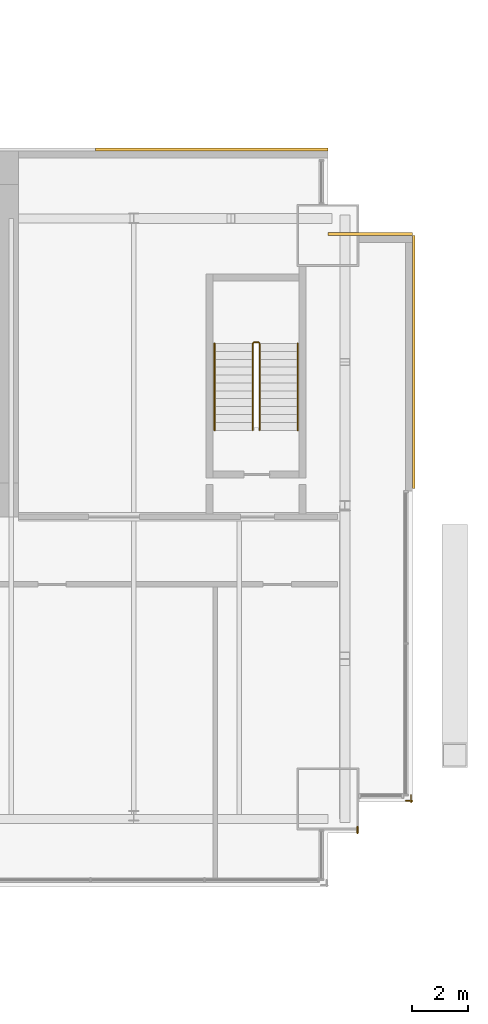
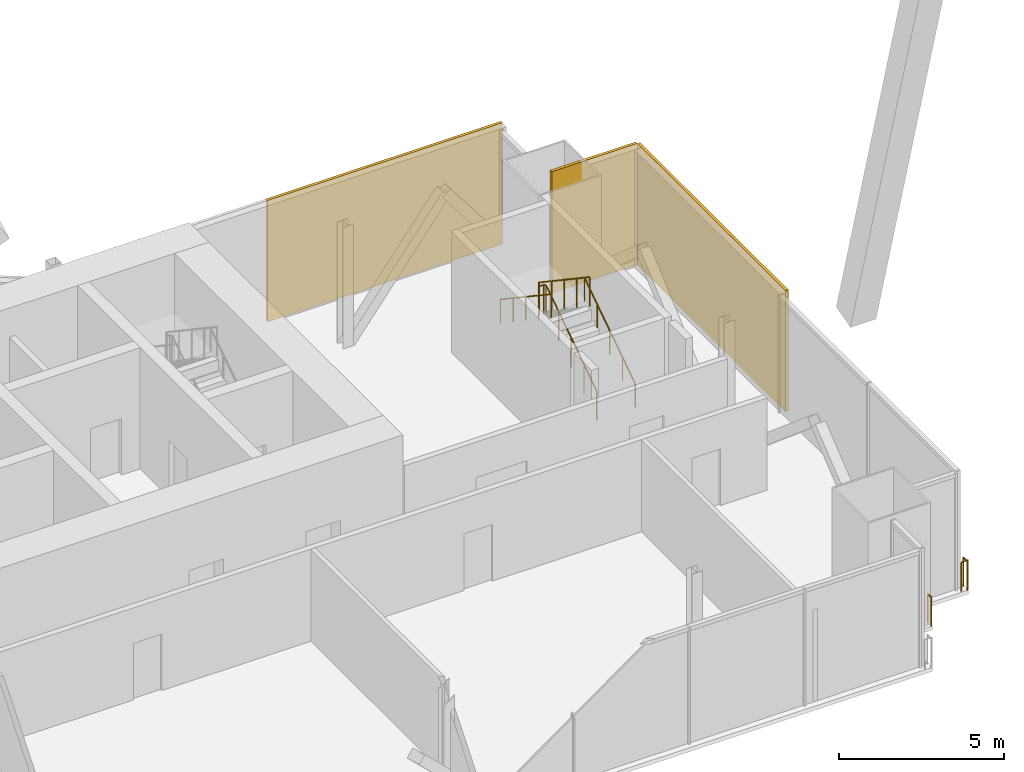
# One storey, part 22 of 22: 5 railings, 3 coverings.
"""IFC4 building model written with IfcOpenShell, lengths in metres."""

from ifc_helpers import new_model, si_unit, direction, frame, origin, origin_2d, place, context, subcontext, project, spatial, rectangle, circle, extrude, material, layer, layer_set, type_object, element, save


model = new_model("IFC4")

# Units and contexts
model_context = context("Model", 3, precision=1e-05, world=origin(), true_north=direction((0.0, 1.0)))
body_context = subcontext(model_context, "Body", "Model", "MODEL_VIEW")
ifc_project = project(units=[si_unit("LENGTHUNIT", "METRE"), si_unit("AREAUNIT", "SQUARE_METRE"), si_unit("VOLUMEUNIT", "CUBIC_METRE"), si_unit("PLANEANGLEUNIT", "RADIAN"), si_unit("MASSUNIT", "GRAM", prefix="KILO")], contexts=[model_context])

# Site, building, storey
site_placement = place(None, origin())
site = spatial("IfcSite", under=ifc_project, at=site_placement, CompositionType="ELEMENT")
building_placement = place(site_placement, origin())
building = spatial("IfcBuilding", under=site, at=building_placement, Name="Bicima Exchange Tower", CompositionType="ELEMENT")
storey_placement = place(building_placement, frame((0.0, 0.0, 315.5)))
storey = spatial("IfcBuildingStorey", under=building, at=storey_placement, Name="L71", CompositionType="ELEMENT", Elevation=315.5)

# Coverings
ifc_material_1 = material(Name="Bronze metal cladding")
ifc_layer_1 = layer(ifc_material_1, 0.004)
ifc_material_2 = material(Name="Ventilated cavity")
ifc_layer_2 = layer(ifc_material_2, 0.06)
ifc_material_3 = material(Name="Galvanised steel rail and mineral wool", Category="steel")
ifc_layer_3 = layer(ifc_material_3, 0.036)
ifc_layer_set = layer_set([ifc_layer_1, ifc_layer_2, ifc_layer_3], Name="Ventilated cavity")
covering_type = type_object("IfcCoveringType", Name="Bronze metal cladding panel 100", PredefinedType="CLADDING", material=ifc_layer_set)
covering_1_placement = place(storey_placement, frame((28.875, 0.050048828125, -0.14990234375), z_axis=(0.0, 0.0, 1.0), x_axis=(-1.0, 0.0, 0.0)))
element("IfcCovering", 1, at=covering_1_placement, inside=storey, type_object=covering_type, Name="Bronze cladding L71 1.1", PredefinedType="CLADDING", context=body_context, shape_type="SweptSolid", body=[
    extrude(rectangle(XDim=8.25, YDim=0.10009765625, at=origin_2d()), origin(), (0.0, 0.0, 1.0), 4.5),
])
covering_2_placement = place(storey_placement, frame((36.050048828125, -7.5, -0.14990234375), z_axis=(0.0, 0.0, 1.0), x_axis=(0.0, 1.0, 0.0)))
element("IfcCovering", 2, at=covering_2_placement, inside=storey, type_object=covering_type, Name="Bronze cladding L71 50.1", PredefinedType="CLADDING", context=body_context, shape_type="SweptSolid", body=[
    extrude(rectangle(XDim=9.0, YDim=0.10009765625, at=origin_2d()), origin(), (0.0, 0.0, 1.0), 4.5),
])
covering_3_placement = place(storey_placement, frame((34.5, -2.949951171875, -0.14990234375), z_axis=(0.0, 0.0, 1.0), x_axis=(-1.0, 0.0, 0.0)))
element("IfcCovering", 3, at=covering_3_placement, inside=storey, type_object=covering_type, Name="Bronze cladding L71 51.1", PredefinedType="CLADDING", context=body_context, shape_type="SweptSolid", body=[
    extrude(rectangle(XDim=3.0, YDim=0.10009765625, at=origin_2d()), origin(), (0.0, 0.0, 1.0), 4.5),
])

# Railings
ifc_material_4 = material(Name="Stainless steel and bonded safety glass", Category="steel")
railing_type_1 = type_object("IfcRailingType", Name="Edge guard 1100", PredefinedType="GUARDRAIL", material=ifc_material_4)
railing_1_placement = place(storey_placement, frame((35.949951171875, -22.89111328125, 0.0)))
element("IfcRailing", 4, at=railing_1_placement, inside=storey, type_object=railing_type_1, Name="Edge guard L71 368", PredefinedType="GUARDRAIL", context=body_context, shape_type="SweptSolid", body=[
    extrude(circle(Radius=0.02392578125, at=origin_2d()), frame((0.0, 0.0, 1.076171875), z_axis=(0.0, -1.0, 0.0), x_axis=(1.0, 0.0, 0.0)), (0.0, 0.0, 1.0), 0.248779296875),
    extrude(circle(Radius=0.02392578125, at=origin_2d()), frame((0.0, -0.248779296875, 1.076171875), z_axis=(0.708833529934, 0.705375805398, 0.0), x_axis=(-0.705375805398, 0.708833529934, 0.0)), (0.0, 0.0, 1.0), 0.070556640625),
    extrude(circle(Radius=0.02392578125, at=origin_2d()), frame((0.050048828125, -0.198974609375, 1.076171875), z_axis=(-1.0, 0.0, 0.0), x_axis=(0.0, -1.0, 0.0)), (0.0, 0.0, 1.0), 0.237060546875),
    extrude(circle(Radius=0.02099609375, at=origin_2d()), origin(), (0.0, 0.0, 1.0), 1.052001953125),
    extrude(circle(Radius=0.02099609375, at=origin_2d()), frame((0.0, -0.248779296875, 0.0)), (0.0, 0.0, 1.0), 1.052001953125),
    extrude(circle(Radius=0.02099609375, at=origin_2d()), frame((0.050048828125, -0.198974609375, 0.0)), (0.0, 0.0, 1.0), 1.052001953125),
    extrude(circle(Radius=0.02099609375, at=origin_2d()), frame((-0.18701171875, -0.198974609375, 0.0)), (0.0, 0.0, 1.0), 1.052001953125),
])
railing_2_placement = place(storey_placement, frame((34.050048828125, -24.02001953125, 0.0)))
element("IfcRailing", 5, at=railing_2_placement, inside=storey, type_object=railing_type_1, Name="Edge guard L71 369", PredefinedType="GUARDRAIL", context=body_context, shape_type="SweptSolid", body=[
    extrude(circle(Radius=0.02392578125, at=origin_2d()), frame((0.0, 0.0, 1.076171875), z_axis=(0.0, -1.0, 0.0), x_axis=(1.0, 0.0, 0.0)), (0.0, 0.0, 1.0), 0.219970703125),
    extrude(circle(Radius=0.02099609375, at=origin_2d()), origin(), (0.0, 0.0, 1.0), 1.052001953125),
    extrude(circle(Radius=0.02099609375, at=origin_2d()), frame((0.0, -0.219970703125, 0.0)), (0.0, 0.0, 1.0), 1.052001953125),
])
ifc_material_5 = material(Name="Stainless steel", Category="steel")
railing_type_2 = type_object("IfcRailingType", Name="Stair guard 1100", PredefinedType="GUARDRAIL", material=ifc_material_5)
railing_3_placement = place(storey_placement, frame((30.574951171875, -9.925048828125, 0.1875)))
element("IfcRailing", 6, at=railing_3_placement, inside=storey, type_object=railing_type_2, Name="L71 ST-EE stair guard 1", PredefinedType="GUARDRAIL", context=body_context, shape_type="SweptSolid", body=[
    extrude(circle(Radius=0.02392578125, at=origin_2d()), frame((0.0, 0.0, 1.076171875), z_axis=(0.0, 0.830913701846, 0.55640131208), x_axis=(-1.0, 0.0, 0.0)), (0.0, 0.0, 1.0), 3.706787109375),
    extrude(circle(Radius=0.02392578125, at=origin_2d()), frame((0.0, 3.080078125, 3.138671875), z_axis=(-0.707106781187, 0.707106781187, 0.0), x_axis=(-0.707106781187, -0.707106781187, 0.0)), (0.0, 0.0, 1.0), 0.07080078125),
    extrude(circle(Radius=0.02392578125, at=origin_2d()), frame((-0.050048828125, 3.130126953125, 3.138671875), z_axis=(-1.0, 0.0, 0.0), x_axis=(0.0, -1.0, 0.0)), (0.0, 0.0, 1.0), 0.14990234375),
    extrude(circle(Radius=0.02392578125, at=origin_2d()), frame((-0.199951171875, 3.130126953125, 3.138671875), z_axis=(-0.249726431254, -0.249726431254, 0.935560483917), x_axis=(0.707106781187, -0.707106781187, 0.0)), (0.0, 0.0, 1.0), 0.200439453125),
    extrude(circle(Radius=0.02392578125, at=origin_2d()), frame((-0.25, 3.080078125, 3.326171875), z_axis=(0.0, -0.830913701846, 0.55640131208), x_axis=(1.0, 0.0, 0.0)), (0.0, 0.0, 1.0), 3.706787109375),
    extrude(circle(Radius=0.02099609375, at=origin_2d()), origin(), (0.0, 0.0, 1.0), 1.052001953125),
    extrude(circle(Radius=0.02099609375, at=origin_2d()), frame((0.0, 0.77001953125, 0.515625)), (0.0, 0.0, 1.0), 1.052001953125),
    extrude(circle(Radius=0.02099609375, at=origin_2d()), frame((0.0, 1.5400390625, 1.03125)), (0.0, 0.0, 1.0), 1.052001953125),
    extrude(circle(Radius=0.02099609375, at=origin_2d()), frame((0.0, 2.31005859375, 1.546875)), (0.0, 0.0, 1.0), 1.052001953125),
    extrude(circle(Radius=0.02099609375, at=origin_2d()), frame((0.0, 3.080078125, 2.0625)), (0.0, 0.0, 1.0), 1.052001953125),
    extrude(circle(Radius=0.02099609375, at=origin_2d()), frame((-0.050048828125, 3.130126953125, 2.0625)), (0.0, 0.0, 1.0), 1.052001953125),
    extrude(circle(Radius=0.02099609375, at=origin_2d()), frame((-0.199951171875, 3.130126953125, 2.0625)), (0.0, 0.0, 1.0), 1.052001953125),
    extrude(circle(Radius=0.02099609375, at=origin_2d()), frame((-0.25, 3.080078125, 2.25)), (0.0, 0.0, 1.0), 1.052001953125),
    extrude(circle(Radius=0.02099609375, at=origin_2d()), frame((-0.25, 2.31005859375, 2.765625)), (0.0, 0.0, 1.0), 1.052001953125),
    extrude(circle(Radius=0.02099609375, at=origin_2d()), frame((-0.25, 1.5400390625, 3.28125)), (0.0, 0.0, 1.0), 1.052001953125),
    extrude(circle(Radius=0.02099609375, at=origin_2d()), frame((-0.25, 0.77001953125, 3.796875)), (0.0, 0.0, 1.0), 1.052001953125),
    extrude(circle(Radius=0.02099609375, at=origin_2d()), frame((-0.25, 0.0, 4.3125)), (0.0, 0.0, 1.0), 1.052001953125),
])
railing_type_3 = type_object("IfcRailingType", Name="Stair handrail 900", PredefinedType="HANDRAIL", material=ifc_material_5)
railing_4_placement = place(storey_placement, frame((31.925048828125, -9.925048828125, 0.1875)))
element("IfcRailing", 7, at=railing_4_placement, inside=storey, type_object=railing_type_3, Name="L71 ST-EE stair handrail 1", PredefinedType="HANDRAIL", context=body_context, shape_type="SweptSolid", body=[
    extrude(circle(Radius=0.02392578125, at=origin_2d()), frame((0.0, 0.0, 0.8759765625), z_axis=(0.0, 0.830913701846, 0.55640131208), x_axis=(-1.0, 0.0, 0.0)), (0.0, 0.0, 1.0), 3.706787109375),
    extrude(circle(Radius=0.02099609375, at=origin_2d()), origin(), (0.0, 0.0, 1.0), 0.851806640625),
    extrude(circle(Radius=0.02099609375, at=origin_2d()), frame((0.0, 0.77001953125, 0.515625)), (0.0, 0.0, 1.0), 0.851806640625),
    extrude(circle(Radius=0.02099609375, at=origin_2d()), frame((0.0, 1.5400390625, 1.03125)), (0.0, 0.0, 1.0), 0.851806640625),
    extrude(circle(Radius=0.02099609375, at=origin_2d()), frame((0.0, 2.31005859375, 1.546875)), (0.0, 0.0, 1.0), 0.851806640625),
    extrude(circle(Radius=0.02099609375, at=origin_2d()), frame((0.0, 3.080078125, 2.0625)), (0.0, 0.0, 1.0), 0.851806640625),
])
railing_5_placement = place(storey_placement, frame((28.97509765625, -6.844970703125, 2.47900390625)))
element("IfcRailing", 8, at=railing_5_placement, inside=storey, type_object=railing_type_3, Name="L71 ST-EE stair handrail 2", PredefinedType="HANDRAIL", context=body_context, shape_type="SweptSolid", body=[
    extrude(circle(Radius=0.02392578125, at=origin_2d()), frame((0.0, 0.0, 0.8759765625), z_axis=(0.0, -0.830913701846, 0.55640131208), x_axis=(1.0, 0.0, 0.0)), (0.0, 0.0, 1.0), 3.706787109375),
    extrude(circle(Radius=0.02099609375, at=origin_2d()), origin(), (0.0, 0.0, 1.0), 0.851806640625),
    extrude(circle(Radius=0.02099609375, at=origin_2d()), frame((0.0, -0.77001953125, 0.515625)), (0.0, 0.0, 1.0), 0.851806640625),
    extrude(circle(Radius=0.02099609375, at=origin_2d()), frame((0.0, -1.5400390625, 1.03125)), (0.0, 0.0, 1.0), 0.851806640625),
    extrude(circle(Radius=0.02099609375, at=origin_2d()), frame((0.0, -2.31005859375, 1.546875)), (0.0, 0.0, 1.0), 0.851806640625),
    extrude(circle(Radius=0.02099609375, at=origin_2d()), frame((0.0, -3.080078125, 2.0625)), (0.0, 0.0, 1.0), 0.851806640625),
])

save(model, "model.ifc")
